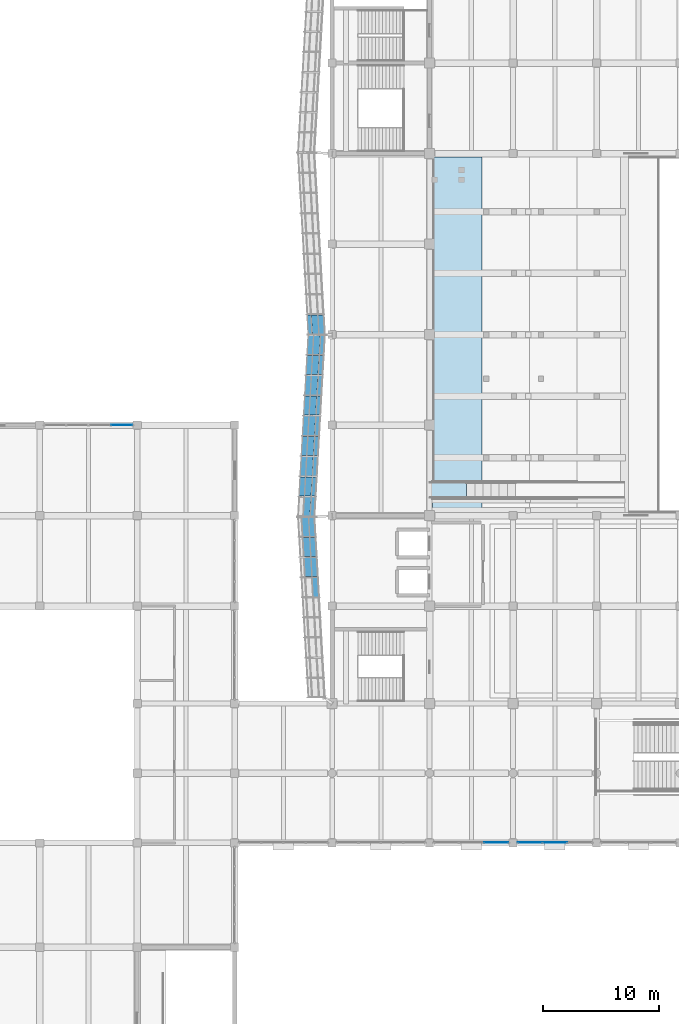
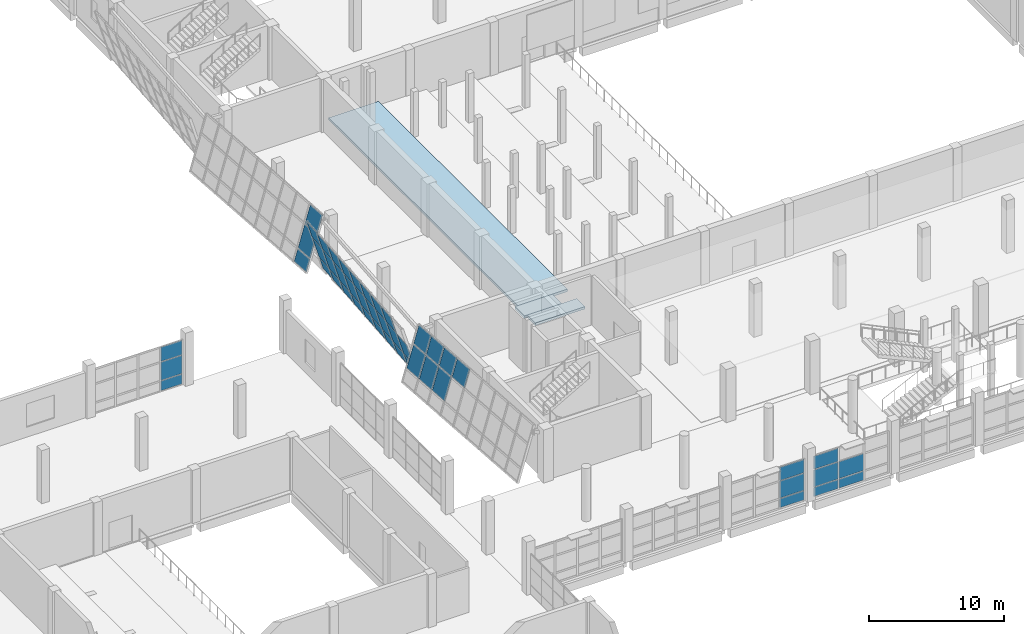
# One storey, part 67 of 91: 47 plates, 3 slabs, 6 elements without a shape of their own.
"""IFC4 building model written with IfcOpenShell, lengths in metres."""

import ifcopenshell
import ifcopenshell.guid

model = None  # the IFC model being written
_history = None  # IfcOwnerHistory: only IFC2X3 demands one
_inside = {}  # id of a spatial element -> (the spatial element, [elements in it])
_under = {}  # id of a project, library or spatial element -> (it, [spatial elements below it])
_declared = {}  # id of a project -> (the project, [libraries it declares])
_typed = {}  # id of a type object -> (the type object, [elements of that type])
_made_of = {}  # id of a material, layer set ... -> (it, [elements and type objects made of it])


def new_model(schema):
    """Start an empty IFC model of exactly this schema.

    Asked for "IFC4X3", IfcOpenShell would pick the latest addendum, in which some entities
    have other attributes; the version numbers below select the first issue.
    IFC2X3 requires an IfcOwnerHistory on every rooted entity: one is made here for all.
    """
    global model, _history
    if schema == "IFC4X3":
        model = ifcopenshell.file(schema_version=(4, 3, 0, 0))
    else:
        model = ifcopenshell.file(schema=schema)
    _inside.clear()
    _under.clear()
    _declared.clear()
    _typed.clear()
    _made_of.clear()
    _history = None
    if model.schema == "IFC2X3":
        org = make("IfcOrganization", Name="unknown")
        user = make(
            "IfcPersonAndOrganization",
            ThePerson=make("IfcPerson", FamilyName="unknown"),
            TheOrganization=org,
        )
        app = make(
            "IfcApplication",
            ApplicationDeveloper=org,
            Version="unknown",
            ApplicationFullName="unknown",
            ApplicationIdentifier="unknown",
        )
        _history = make(
            "IfcOwnerHistory",
            OwningUser=user,
            OwningApplication=app,
            ChangeAction="ADDED",
            CreationDate=0,
        )
    return model


def make(cls, **values):
    """One entity of the class cls with the attributes given. An attribute that is None is left unset."""
    return model.create_entity(
        cls, **{name: value for name, value in values.items() if value is not None}
    )


def rooted(cls, **values):
    """An entity with a GlobalId (a new one), such as an element, a storey or a relation."""
    return make(cls, GlobalId=ifcopenshell.guid.new(), OwnerHistory=_history, **values)


def si_unit(unit_type, name, prefix=None):
    """IfcSIUnit, for example si_unit("LENGTHUNIT", "METRE", prefix="MILLI")."""
    return make("IfcSIUnit", UnitType=unit_type, Prefix=prefix, Name=name)


def assignment(units):
    """IfcUnitAssignment: the units of a project."""
    return None if units is None else make("IfcUnitAssignment", Units=units)


def point(xyz):
    """IfcCartesianPoint."""
    return None if xyz is None else make("IfcCartesianPoint", Coordinates=xyz)


def direction(xyz):
    """IfcDirection."""
    return None if xyz is None else make("IfcDirection", DirectionRatios=xyz)


def frame(location, z_axis=None, x_axis=None):
    """IfcAxis2Placement3D, a coordinate frame: its origin and axes. An axis left out is left unset."""
    return make(
        "IfcAxis2Placement3D",
        Location=point(location),
        Axis=direction(z_axis),
        RefDirection=direction(x_axis),
    )


def origin():
    """The frame at (0, 0, 0) with its axes left unset."""
    return frame((0.0, 0.0, 0.0))


def place(relative_to, where):
    """IfcLocalPlacement: puts the frame where relative to a parent placement (None: the world)."""
    return make(
        "IfcLocalPlacement", PlacementRelTo=relative_to, RelativePlacement=where
    )


def context(
    kind, dimensions, precision=None, world=None, true_north=None, identifier=None
):
    """IfcGeometricRepresentationContext, for example the 3D "Model" context."""
    return make(
        "IfcGeometricRepresentationContext",
        ContextIdentifier=identifier,
        ContextType=kind,
        CoordinateSpaceDimension=dimensions,
        Precision=precision,
        WorldCoordinateSystem=world,
        TrueNorth=true_north,
    )


def subcontext(parent, identifier, kind, view, scale=None):
    """IfcGeometricRepresentationSubContext, for example "Body" below "Model"."""
    return make(
        "IfcGeometricRepresentationSubContext",
        ContextIdentifier=identifier,
        ContextType=kind,
        ParentContext=parent,
        TargetScale=scale,
        TargetView=view,
    )


def project(units=None, contexts=None):
    """IfcProject with its units and contexts."""
    return rooted(
        "IfcProject",
        Name="project",
        RepresentationContexts=contexts,
        UnitsInContext=assignment(units),
    )


def spatial(cls, under=None, at=None, **own):
    """A site, building, storey or space (cls), placed at a placement, below another one or the project."""
    s = rooted(cls, ObjectPlacement=at, **own)
    if under is not None:
        _under.setdefault(under.id(), (under, []))[1].append(s)
    return s


def polyline(points):
    """IfcPolyline through the points."""
    return make("IfcPolyline", Points=[point(p) for p in points])


def outline(outer, holes=None, kind="AREA"):
    """IfcArbitraryClosedProfileDef: a profile drawn as a closed curve; with holes, ...WithVoids."""
    if holes is None:
        return make("IfcArbitraryClosedProfileDef", ProfileType=kind, OuterCurve=outer)
    return make(
        "IfcArbitraryProfileDefWithVoids",
        ProfileType=kind,
        OuterCurve=outer,
        InnerCurves=holes,
    )


def extrude(swept, where, along, depth):
    """IfcExtrudedAreaSolid: the profile swept, set in the frame where, extruded along a direction by depth."""
    return make(
        "IfcExtrudedAreaSolid",
        SweptArea=swept,
        Position=where,
        ExtrudedDirection=direction(along),
        Depth=depth,
    )


def shape(context_of_items, identifier, shape_type, items):
    """IfcShapeRepresentation: the items that make up one representation, for example the "Body"."""
    return make(
        "IfcShapeRepresentation",
        ContextOfItems=context_of_items,
        RepresentationIdentifier=identifier,
        RepresentationType=shape_type,
        Items=items,
    )


def material(Name=None, Category=None):
    """IfcMaterial."""
    return make("IfcMaterial", Name=Name, Category=Category)


def layer(
    of_material, thickness, ventilated=None, Name=None, Category=None, Priority=None
):
    """IfcMaterialLayer: one layer of a wall or slab, of a material (None: an air gap)."""
    return make(
        "IfcMaterialLayer",
        Material=of_material,
        LayerThickness=thickness,
        IsVentilated=ventilated,
        Name=Name,
        Category=Category,
        Priority=Priority,
    )


def layer_set(layers, Name=None):
    """IfcMaterialLayerSet."""
    return make("IfcMaterialLayerSet", MaterialLayers=layers, LayerSetName=Name)


def made_of(thing, what):
    """Note that an element or type object is made of a material, layer set ...; save() writes the relation."""
    if what is not None:
        _made_of.setdefault(what.id(), (what, []))[1].append(thing)
    return thing


def type_object(cls, material=None, **own):
    """A type object (cls), such as IfcWallType, which elements share."""
    return made_of(rooted(cls, **own), material)


def element(
    cls,
    number,
    at=None,
    inside=None,
    cuts=None,
    type_object=None,
    material=None,
    context=None,
    identifier="Body",
    shape_type=None,
    held_by="IfcProductDefinitionShape",
    body=None,
    shapes=None,
    **own,
):
    """One element of the class cls, such as IfcWall. Its Tag is "e" and its number.

    at: its placement. inside: the storey or other place that contains it. cuts: it is an
    opening in that element (IfcRelVoidsElement). A single representation is given by context,
    identifier, shape_type and body (its items); several are given by shapes. held_by: the class
    of the entity that holds the representations. save() writes the other relations.
    """
    e = rooted(cls, Tag="e%d" % number, ObjectPlacement=at, **own)
    if body is not None:
        shapes = [shape(context, identifier, shape_type, body)]
    if shapes is not None:
        e.Representation = make(held_by, Representations=shapes)
    if inside is not None:
        _inside.setdefault(inside.id(), (inside, []))[1].append(e)
    if cuts is not None:
        rooted(
            "IfcRelVoidsElement", RelatingBuildingElement=cuts, RelatedOpeningElement=e
        )
    if type_object is not None:
        _typed.setdefault(type_object.id(), (type_object, []))[1].append(e)
    return made_of(e, material)


def aggregate(whole, parts):
    """IfcRelAggregates: a whole, such as a stair, and the parts it consists of."""
    return rooted("IfcRelAggregates", RelatingObject=whole, RelatedObjects=parts)


def save(model, path):
    """Write the relations noted so far, then the file.

    IfcRelAggregates (storeys below a building ...), IfcRelContainedInSpatialStructure (elements
    in a storey), IfcRelDefinesByType, IfcRelAssociatesMaterial and IfcRelDeclares: one each for
    every whole, place, type object, material and project.
    """
    for whole, parts in _under.values():
        aggregate(whole, parts)
    for where, things in _inside.values():
        rooted(
            "IfcRelContainedInSpatialStructure",
            RelatedElements=things,
            RelatingStructure=where,
        )
    for kind, things in _typed.values():
        rooted("IfcRelDefinesByType", RelatedObjects=things, RelatingType=kind)
    for what, things in _made_of.values():
        rooted("IfcRelAssociatesMaterial", RelatedObjects=things, RelatingMaterial=what)
    for by, libraries in _declared.values():
        rooted("IfcRelDeclares", RelatingContext=by, RelatedDefinitions=libraries)
    model.write(path)


model = new_model("IFC4")

# Units and contexts
model_context = context("Model", 3, precision=1e-05, world=origin(), true_north=direction((0.0, 1.0)))
body_context = subcontext(model_context, "Body", "Model", "MODEL_VIEW")
ifc_project = project(units=[si_unit("LENGTHUNIT", "METRE"), si_unit("AREAUNIT", "SQUARE_METRE"), si_unit("VOLUMEUNIT", "CUBIC_METRE"), si_unit("PLANEANGLEUNIT", "RADIAN"), si_unit("MASSUNIT", "GRAM", prefix="KILO")], contexts=[model_context])

# Site, building, storey
site_placement = place(None, origin())
site = spatial("IfcSite", under=ifc_project, at=site_placement, CompositionType="ELEMENT")
building_placement = place(site_placement, origin())
building = spatial("IfcBuilding", under=site, at=building_placement, Name="Pellamere Symphony Hall", CompositionType="ELEMENT")
storey_placement = place(building_placement, frame((0.0, 0.0, 5.39990234375)))
storey = spatial("IfcBuildingStorey", under=building, at=storey_placement, Name="L01", CompositionType="ELEMENT", Elevation=5.39990234375)

# Curtain wall, plates
ifc_material_1 = material(Name="Thermally Broken Anodised Aluminium 6063-T6 Curtain Wall", Category="aluminium")
curtain_wall_type_1 = type_object("IfcCurtainWallType", Name="Curtain Wall CW-01 (Tilted Faceted Crystal Low-Iron Curtain Wall)", PredefinedType="NOTDEFINED", material=ifc_material_1)
curtain_wall_1_placement = place(storey_placement, origin())
curtain_wall_1 = element("IfcCurtainWall", 1, at=curtain_wall_1_placement, inside=storey, type_object=curtain_wall_type_1, Name="Crystal Faceted Curtain Wall CW-CR17 (L01)", PredefinedType="NOTDEFINED")
ifc_material_2 = material(Name="Pre-Weathered Quartz-Zinc Faceted Cladding Cassette", Category="aluminium")
ifc_layer_1 = layer(ifc_material_2, 0.0400390625, Name="Pre-Weathered Quartz-Zinc Faceted Cladding Cassette")
ifc_layer_set_1 = layer_set([ifc_layer_1], Name="Pre-Weathered Quartz-Zinc Faceted Cladding Cassette")
plate_type_1 = type_object("IfcPlateType", Name="Facade Panel CL-01 40mm", PredefinedType="CURTAIN_PANEL", material=ifc_layer_set_1)
plate_1_placement = place(storey_placement, frame((49.724365234375, 61.72509765625, 0.072021484375), z_axis=(0.957370543914, -0.054850099973, 0.283607313336), x_axis=(-0.057198647566, -0.998362817175, 0.0)))
plate_1 = element("IfcPlate", 2, at=plate_1_placement, type_object=plate_type_1, Name="CW1-048 crystal glass panel 1.1", PredefinedType="CURTAIN_PANEL", context=body_context, shape_type="SweptSolid", body=[
    extrude(outline(polyline([(0.0, 0.0), (1.6347564733470132, 3.469446951953614e-18), (1.652449512034991, -1.0888991004708903), (0.01769303868797779, -1.0888991004708903), (0.0, 0.0)])), origin(), (0.0, 0.0, -1.0), 0.0400390625),
])
plate_2_placement = place(storey_placement, frame((49.393798828125, 61.72509765625, 1.18798828125), z_axis=(0.957368086249, -0.054849959167, 0.283615636753), x_axis=(-0.057198647566, -0.998362817175, 0.0)))
plate_2 = element("IfcPlate", 3, at=plate_2_placement, type_object=plate_type_1, Name="CW1-048 crystal glass panel 1.2", PredefinedType="CURTAIN_PANEL", context=body_context, shape_type="SweptSolid", body=[
    extrude(outline(polyline([(0.0, 0.0), (1.6347564733470132, 0.0), (1.6676987608489386, -2.027338273597459), (0.032942287501925495, -2.027338273597459), (0.0, 0.0)])), origin(), (0.0, 0.0, -1.0), 0.0400390625),
])
plate_3_placement = place(storey_placement, frame((48.796630859375, 61.72509765625, 3.2041015625), z_axis=(0.957387170277, -0.054851052538, 0.283550997572), x_axis=(-0.057198647566, -0.998362817175, 0.0)))
plate_3 = element("IfcPlate", 4, at=plate_3_placement, type_object=plate_type_1, Name="CW1-048 crystal glass panel 1.3", PredefinedType="CURTAIN_PANEL", context=body_context, shape_type="SweptSolid", body=[
    extrude(outline(polyline([(0.0, 0.0), (1.6347564733470132, 0.0), (1.6605768589303367, -1.5894035603330965), (0.025820385583323543, -1.5894035603330965), (0.0, 0.0)])), origin(), (0.0, 0.0, -1.0), 0.0400390625),
])
plate_4_placement = place(storey_placement, frame((49.62646484375, 60.01806640625, 0.072021484375), z_axis=(0.95742957948, -0.05488628183, 0.283400946369), x_axis=(-0.057232737422, -0.998360863499, 0.0)))
plate_4 = element("IfcPlate", 5, at=plate_4_placement, type_object=plate_type_1, Name="CW1-048 crystal glass panel 2.1", PredefinedType="CURTAIN_PANEL", context=body_context, shape_type="SweptSolid", body=[
    extrude(outline(polyline([(0.0, 0.0), (1.6721745160346768, 0.0), (1.6898641267710717, -1.0888298277192388), (0.017689610736394717, -1.0888298277192388), (0.0, 0.0)])), origin(), (0.0, 0.0, -1.0), 0.0400390625),
])
plate_5_placement = place(storey_placement, frame((49.2958984375, 60.01806640625, 1.18798828125), z_axis=(0.957399002665, -0.054884528962, 0.283504564647), x_axis=(-0.057232737422, -0.998360863499, 0.0)))
plate_5 = element("IfcPlate", 6, at=plate_5_placement, type_object=plate_type_1, Name="CW1-048 crystal glass panel 2.2", PredefinedType="CURTAIN_PANEL", context=body_context, shape_type="SweptSolid", body=[
    extrude(outline(polyline([(0.0, 0.0), (1.6721745160346768, 0.0), (1.7051224639939333, -2.0272688394771072), (0.03294794795925651, -2.0272688394771072), (0.0, 0.0)])), origin(), (0.0, 0.0, -1.0), 0.0400390625),
])
plate_6_placement = place(storey_placement, frame((48.69873046875, 60.01806640625, 3.2041015625), z_axis=(0.957385447417, -0.054883751885, 0.28355048731), x_axis=(-0.057232737422, -0.998360863499, 0.0)))
plate_6 = element("IfcPlate", 7, at=plate_6_placement, type_object=plate_type_1, Name="CW1-048 crystal glass panel 2.3", PredefinedType="CURTAIN_PANEL", context=body_context, shape_type="SweptSolid", body=[
    extrude(outline(polyline([(0.0, 0.0), (1.6721745160346768, 0.0), (1.6980102903250354, -1.589403310263953), (0.025835774290358476, -1.589403310263953), (0.0, 0.0)])), origin(), (0.0, 0.0, -1.0), 0.0400390625),
])
plate_7_placement = place(storey_placement, frame((49.526611328125, 58.273681640625, 0.072021484375), z_axis=(0.95736924277, -0.054874797948, 0.283606927891), x_axis=(-0.057224396245, -0.998361341637, 0.0)))
plate_7 = element("IfcPlate", 8, at=plate_7_placement, type_object=plate_type_1, Name="CW1-048 crystal glass panel 3.1", PredefinedType="CURTAIN_PANEL", context=body_context, shape_type="SweptSolid", body=[
    extrude(outline(polyline([(0.0, 0.0), (1.6724182565382377, 3.469446951953614e-18), (1.6901192599666512, -1.0888989710262178), (0.01770100342841346, -1.0888989710262178), (0.0, 0.0)])), origin(), (0.0, 0.0, -1.0), 0.0400390625),
])
plate_8_placement = place(storey_placement, frame((49.196044921875, 58.273681640625, 1.18798828125), z_axis=(0.957366785115, -0.054874657079, 0.283615251298), x_axis=(-0.057224396245, -0.998361341637, 0.0)))
plate_8 = element("IfcPlate", 9, at=plate_8_placement, type_object=plate_type_1, Name="CW1-048 crystal glass panel 3.2", PredefinedType="CURTAIN_PANEL", context=body_context, shape_type="SweptSolid", body=[
    extrude(outline(polyline([(0.0, 0.0), (1.6724182565382377, -3.469446951953614e-18), (1.7053753734187647, -2.0273380325801393), (0.03295711688052672, -2.0273380325801393), (0.0, 0.0)])), origin(), (0.0, 0.0, -1.0), 0.0400390625),
])
plate_9_placement = place(storey_placement, frame((48.598876953125, 58.273681640625, 3.2041015625), z_axis=(0.957385869065, -0.054875750939, 0.28355061219), x_axis=(-0.057224396245, -0.998361341637, 0.0)))
plate_9 = element("IfcPlate", 10, at=plate_9_placement, type_object=plate_type_1, Name="CW1-048 crystal glass panel 3.3", PredefinedType="CURTAIN_PANEL", context=body_context, shape_type="SweptSolid", body=[
    extrude(outline(polyline([(0.0, 0.0), (1.6724182565382377, -3.469446951953614e-18), (1.6982502654878326, -1.5894033714651616), (0.025832008949594705, -1.5894033714651616), (0.0, 0.0)])), origin(), (0.0, 0.0, -1.0), 0.0400390625),
])
plate_10_placement = place(storey_placement, frame((49.426513671875, 56.529296875, 0.072021484375), z_axis=(0.95736924277, -0.054874797948, 0.283606927891), x_axis=(-0.057224396245, -0.998361341637, 0.0)))
plate_10 = element("IfcPlate", 11, at=plate_10_placement, type_object=plate_type_1, Name="CW1-048 crystal glass panel 4.1", PredefinedType="CURTAIN_PANEL", context=body_context, shape_type="SweptSolid", body=[
    extrude(outline(polyline([(0.0, 0.0), (1.6724182565382377, 3.469446951953614e-18), (1.6901192599666512, -1.0888989710262178), (0.01770100342841346, -1.0888989710262178), (0.0, 0.0)])), origin(), (0.0, 0.0, -1.0), 0.0400390625),
])
plate_11_placement = place(storey_placement, frame((49.095947265625, 56.529296875, 1.18798828125), z_axis=(0.957366785115, -0.054874657079, 0.283615251298), x_axis=(-0.057224396245, -0.998361341637, 0.0)))
plate_11 = element("IfcPlate", 12, at=plate_11_placement, type_object=plate_type_1, Name="CW1-048 crystal glass panel 4.2", PredefinedType="CURTAIN_PANEL", context=body_context, shape_type="SweptSolid", body=[
    extrude(outline(polyline([(0.0, 0.0), (1.6724182565382377, -3.469446951953614e-18), (1.7053753734187647, -2.0273380325801393), (0.03295711688052672, -2.0273380325801393), (0.0, 0.0)])), origin(), (0.0, 0.0, -1.0), 0.0400390625),
])
plate_12_placement = place(storey_placement, frame((48.498779296875, 56.529296875, 3.2041015625), z_axis=(0.957385869065, -0.054875750939, 0.28355061219), x_axis=(-0.057224396245, -0.998361341637, 0.0)))
plate_12 = element("IfcPlate", 13, at=plate_12_placement, type_object=plate_type_1, Name="CW1-048 crystal glass panel 4.3", PredefinedType="CURTAIN_PANEL", context=body_context, shape_type="SweptSolid", body=[
    extrude(outline(polyline([(0.0, 0.0), (1.6724182565382377, -3.469446951953614e-18), (1.6982502654878326, -1.5894033714651616), (0.025832008949594705, -1.5894033714651616), (0.0, 0.0)])), origin(), (0.0, 0.0, -1.0), 0.0400390625),
])
plate_13_placement = place(storey_placement, frame((49.32666015625, 54.78466796875, 0.072021484375), z_axis=(0.957368821144, -0.054882798755, 0.28360680299), x_axis=(-0.057232737422, -0.998360863499, 0.0)))
plate_13 = element("IfcPlate", 14, at=plate_13_placement, type_object=plate_type_1, Name="CW1-048 crystal glass panel 5.1", PredefinedType="CURTAIN_PANEL", context=body_context, shape_type="SweptSolid", body=[
    extrude(outline(polyline([(0.0, 0.0), (1.6721745160346768, -3.469446951953614e-18), (1.6898780996073564, -1.0888989290806625), (0.01770358357267939, -1.0888989290806625), (0.0, 0.0)])), origin(), (0.0, 0.0, -1.0), 0.0400390625),
])
plate_14_placement = place(storey_placement, frame((48.995849609375, 54.78466796875, 1.18798828125), z_axis=(0.957399002665, -0.054884528962, 0.283504564647), x_axis=(-0.057232737422, -0.998360863499, 0.0)))
plate_14 = element("IfcPlate", 15, at=plate_14_placement, type_object=plate_type_1, Name="CW1-048 crystal glass panel 5.2", PredefinedType="CURTAIN_PANEL", context=body_context, shape_type="SweptSolid", body=[
    extrude(outline(polyline([(0.0, 0.0), (1.6721745160346768, 0.0), (1.7051224639939333, -2.0272688394771072), (0.03294794795925651, -2.0272688394771072), (0.0, 0.0)])), origin(), (0.0, 0.0, -1.0), 0.0400390625),
])
plate_15_placement = place(storey_placement, frame((48.39892578125, 54.78466796875, 3.2041015625), z_axis=(0.957343808464, -0.054881364861, 0.283691501787), x_axis=(-0.057232737422, -0.998360863499, 0.0)))
plate_15 = element("IfcPlate", 16, at=plate_15_placement, type_object=plate_type_1, Name="CW1-048 crystal glass panel 5.3", PredefinedType="CURTAIN_PANEL", context=body_context, shape_type="SweptSolid", body=[
    extrude(outline(polyline([(0.0, 0.0), (1.6721745160346768, 0.0), (1.69802426316132, -1.5894724401718032), (0.02584974712664315, -1.5894724401718032), (0.0, 0.0)])), origin(), (0.0, 0.0, -1.0), 0.0400390625),
])
plate_16_placement = place(storey_placement, frame((49.2265625, 53.040283203125, 0.072021484375), z_axis=(0.957368821144, -0.054882798755, 0.28360680299), x_axis=(-0.057232737422, -0.998360863499, 0.0)))
plate_16 = element("IfcPlate", 17, at=plate_16_placement, type_object=plate_type_1, Name="CW1-048 crystal glass panel 6.1", PredefinedType="CURTAIN_PANEL", context=body_context, shape_type="SweptSolid", body=[
    extrude(outline(polyline([(0.0, 0.0), (1.6721745160346768, -3.469446951953614e-18), (1.6898780996073564, -1.0888989290806625), (0.01770358357267939, -1.0888989290806625), (0.0, 0.0)])), origin(), (0.0, 0.0, -1.0), 0.0400390625),
])
plate_17_placement = place(storey_placement, frame((48.89599609375, 53.040283203125, 1.18798828125), z_axis=(0.957366363492, -0.054882657866, 0.283615126394), x_axis=(-0.057232737422, -0.998360863499, 0.0)))
plate_17 = element("IfcPlate", 18, at=plate_17_placement, type_object=plate_type_1, Name="CW1-048 crystal glass panel 6.2", PredefinedType="CURTAIN_PANEL", context=body_context, shape_type="SweptSolid", body=[
    extrude(outline(polyline([(0.0, 0.0), (1.6721745160346768, 0.0), (1.705136436830218, -2.027337954480322), (0.03296192079554119, -2.027337954480322), (0.0, 0.0)])), origin(), (0.0, 0.0, -1.0), 0.0400390625),
])
plate_18_placement = place(storey_placement, frame((48.298828125, 53.040283203125, 3.2041015625), z_axis=(0.957385447417, -0.054883751885, 0.28355048731), x_axis=(-0.057232737422, -0.998360863499, 0.0)))
plate_18 = element("IfcPlate", 19, at=plate_18_placement, type_object=plate_type_1, Name="CW1-048 crystal glass panel 6.3", PredefinedType="CURTAIN_PANEL", context=body_context, shape_type="SweptSolid", body=[
    extrude(outline(polyline([(0.0, 0.0), (1.6721745160346768, 0.0), (1.6980102903250354, -1.589403310263953), (0.025835774290358476, -1.589403310263953), (0.0, 0.0)])), origin(), (0.0, 0.0, -1.0), 0.0400390625),
])
plate_19_placement = place(storey_placement, frame((49.12646484375, 51.2958984375, 0.072021484375), z_axis=(0.957430001187, -0.054878280518, 0.283401071195), x_axis=(-0.057224396245, -0.998361341637, 0.0)))
plate_19 = element("IfcPlate", 20, at=plate_19_placement, type_object=plate_type_1, Name="CW1-048 crystal glass panel 7.1", PredefinedType="CURTAIN_PANEL", context=body_context, shape_type="SweptSolid", body=[
    extrude(outline(polyline([(0.0, 0.0), (1.6724182565382377, 0.0), (1.6901052891667867, -1.0888298696012657), (0.01768703262854889, -1.0888298696012657), (0.0, 0.0)])), origin(), (0.0, 0.0, -1.0), 0.0400390625),
])
plate_20_placement = place(storey_placement, frame((48.7958984375, 51.2958984375, 1.18798828125), z_axis=(0.957399424332, -0.054876527904, 0.283504689511), x_axis=(-0.057224396245, -0.998361341637, 0.0)))
plate_20 = element("IfcPlate", 21, at=plate_20_placement, type_object=plate_type_1, Name="CW1-048 crystal glass panel 7.2", PredefinedType="CURTAIN_PANEL", context=body_context, shape_type="SweptSolid", body=[
    extrude(outline(polyline([(0.0, 0.0), (1.6724182565382377, 3.469446951953614e-18), (1.7053614026189, -2.0272689175133847), (0.03294314608066215, -2.0272689175133847), (0.0, 0.0)])), origin(), (0.0, 0.0, -1.0), 0.0400390625),
])
plate_21_placement = place(storey_placement, frame((48.19873046875, 51.2958984375, 3.2041015625), z_axis=(0.957385869065, -0.054875750939, 0.28355061219), x_axis=(-0.057224396245, -0.998361341637, 0.0)))
plate_21 = element("IfcPlate", 22, at=plate_21_placement, type_object=plate_type_1, Name="CW1-048 crystal glass panel 7.3", PredefinedType="CURTAIN_PANEL", context=body_context, shape_type="SweptSolid", body=[
    extrude(outline(polyline([(0.0, 0.0), (1.6724182565382377, -3.469446951953614e-18), (1.6982502654878326, -1.5894033714651616), (0.025832008949594705, -1.5894033714651616), (0.0, 0.0)])), origin(), (0.0, 0.0, -1.0), 0.0400390625),
])
plate_22_placement = place(storey_placement, frame((49.026611328125, 49.551513671875, 0.072021484375), z_axis=(0.95736924277, -0.054874797948, 0.283606927891), x_axis=(-0.057224396245, -0.998361341637, 0.0)))
plate_22 = element("IfcPlate", 23, at=plate_22_placement, type_object=plate_type_1, Name="CW1-048 crystal glass panel 8.1", PredefinedType="CURTAIN_PANEL", context=body_context, shape_type="SweptSolid", body=[
    extrude(outline(polyline([(0.0, 0.0), (1.6724182565382377, 3.469446951953614e-18), (1.6901192599666512, -1.0888989710262178), (0.01770100342841346, -1.0888989710262178), (0.0, 0.0)])), origin(), (0.0, 0.0, -1.0), 0.0400390625),
])
plate_23_placement = place(storey_placement, frame((48.696044921875, 49.551513671875, 1.18798828125), z_axis=(0.957366785115, -0.054874657079, 0.283615251298), x_axis=(-0.057224396245, -0.998361341637, 0.0)))
plate_23 = element("IfcPlate", 24, at=plate_23_placement, type_object=plate_type_1, Name="CW1-048 crystal glass panel 8.2", PredefinedType="CURTAIN_PANEL", context=body_context, shape_type="SweptSolid", body=[
    extrude(outline(polyline([(0.0, 0.0), (1.6724182565382377, -3.469446951953614e-18), (1.7053753734187647, -2.0273380325801393), (0.03295711688052672, -2.0273380325801393), (0.0, 0.0)])), origin(), (0.0, 0.0, -1.0), 0.0400390625),
])
plate_24_placement = place(storey_placement, frame((48.098876953125, 49.551513671875, 3.2041015625), z_axis=(0.957385869065, -0.054875750939, 0.28355061219), x_axis=(-0.057224396245, -0.998361341637, 0.0)))
plate_24 = element("IfcPlate", 25, at=plate_24_placement, type_object=plate_type_1, Name="CW1-048 crystal glass panel 8.3", PredefinedType="CURTAIN_PANEL", context=body_context, shape_type="SweptSolid", body=[
    extrude(outline(polyline([(0.0, 0.0), (1.6724182565382377, -3.469446951953614e-18), (1.6982502654878326, -1.5894033714651616), (0.025832008949594705, -1.5894033714651616), (0.0, 0.0)])), origin(), (0.0, 0.0, -1.0), 0.0400390625),
])
plate_25_placement = place(storey_placement, frame((48.926513671875, 47.806884765625, 0.072021484375), z_axis=(0.957370543914, -0.054850099973, 0.283607313336), x_axis=(-0.057198647566, -0.998362817175, 0.0)))
plate_25 = element("IfcPlate", 26, at=plate_25_placement, type_object=plate_type_1, Name="CW1-048 crystal glass panel 9.1", PredefinedType="CURTAIN_PANEL", context=body_context, shape_type="SweptSolid", body=[
    extrude(outline(polyline([(0.0, 0.0), (1.6347564733470132, 3.469446951953614e-18), (1.652449512034991, -1.0888991004708903), (0.01769303868797779, -1.0888991004708903), (0.0, 0.0)])), origin(), (0.0, 0.0, -1.0), 0.0400390625),
])
plate_26_placement = place(storey_placement, frame((48.595947265625, 47.806884765625, 1.18798828125), z_axis=(0.957368086249, -0.054849959167, 0.283615636753), x_axis=(-0.057198647566, -0.998362817175, 0.0)))
plate_26 = element("IfcPlate", 27, at=plate_26_placement, type_object=plate_type_1, Name="CW1-048 crystal glass panel 9.2", PredefinedType="CURTAIN_PANEL", context=body_context, shape_type="SweptSolid", body=[
    extrude(outline(polyline([(0.0, 0.0), (1.6347564733470132, 0.0), (1.6676987608489386, -2.027338273597459), (0.032942287501925495, -2.027338273597459), (0.0, 0.0)])), origin(), (0.0, 0.0, -1.0), 0.0400390625),
])
aggregate(curtain_wall_1, [plate_1, plate_2, plate_3, plate_4, plate_5, plate_6, plate_7, plate_8, plate_9, plate_10, plate_11, plate_12, plate_13, plate_14, plate_15, plate_16, plate_17, plate_18, plate_19, plate_20, plate_21, plate_22, plate_23, plate_24, plate_25, plate_26])

curtain_wall_type_2 = type_object("IfcCurtainWallType", Name="Curtain Wall CW-02 (Winter-Garden South Concourse Curtain Wall)", PredefinedType="NOTDEFINED", material=ifc_material_1)
curtain_wall_2_placement = place(storey_placement, origin())
curtain_wall_2 = element("IfcCurtainWall", 28, at=curtain_wall_2_placement, inside=storey, type_object=curtain_wall_type_2, Name="Winter-Garden South Curtain Wall (L01 Bay 4)", PredefinedType="NOTDEFINED")
ifc_material_3 = material(Name="Triple Low-E Argon Acoustic Glazing 36mm", Category="glass")
ifc_layer_2 = layer(ifc_material_3, 0.035888671875, Name="Triple Low-E Argon Acoustic Glazing 36mm")
ifc_layer_set_2 = layer_set([ifc_layer_2], Name="Triple Low-E Argon Acoustic Glazing 36mm")
plate_type_2 = type_object("IfcPlateType", Name="Facade Panel GL-01 36mm", PredefinedType="CURTAIN_PANEL", material=ifc_layer_set_2)
plate_27_placement = place(storey_placement, frame((66.4150390625, 18.0, 0.065185546875), z_axis=(0.0, -1.0, 0.0), x_axis=(1.0, 0.0, 0.0)))
plate_27 = element("IfcPlate", 29, at=plate_27_placement, type_object=plate_type_2, Name="CW2-069 crystal glass panel 1.1", PredefinedType="CURTAIN_PANEL", context=body_context, shape_type="SweptSolid", body=[
    extrude(outline(polyline([(0.0, 0.0), (2.069091796875, 0.0), (2.069091796875, 0.8095703125), (0.0, 0.8095703125), (0.0, 0.0)])), origin(), (0.0, 0.0, -1.0), 0.035888671875),
])
plate_28_placement = place(storey_placement, frame((66.4150390625, 18.0, 0.939697265625), z_axis=(0.0, -1.0, 0.0), x_axis=(1.0, 0.0, 0.0)))
plate_28 = element("IfcPlate", 30, at=plate_28_placement, type_object=plate_type_2, Name="CW2-069 crystal glass panel 1.2", PredefinedType="CURTAIN_PANEL", context=body_context, shape_type="SweptSolid", body=[
    extrude(outline(polyline([(0.0, 0.0), (2.069091796875, 0.0), (2.069091796875, 1.522705078125), (0.0, 1.522705078125), (0.0, 0.0)])), origin(), (0.0, 0.0, -1.0), 0.035888671875),
])
plate_29_placement = place(storey_placement, frame((66.4150390625, 18.0, 2.52734375), z_axis=(0.0, -1.0, 0.0), x_axis=(1.0, 0.0, 0.0)))
plate_29 = element("IfcPlate", 31, at=plate_29_placement, type_object=plate_type_2, Name="CW2-069 crystal glass panel 1.3", PredefinedType="CURTAIN_PANEL", context=body_context, shape_type="SweptSolid", body=[
    extrude(outline(polyline([(0.0, 0.0), (2.069091796875, 0.0), (2.069091796875, 1.187744140625), (0.0, 1.187744140625), (0.0, 0.0)])), origin(), (0.0, 0.0, -1.0), 0.035888671875),
])
plate_30_placement = place(storey_placement, frame((68.549072265625, 18.0, 0.065185546875), z_axis=(0.0, -1.0, 0.0), x_axis=(1.0, 0.0, 0.0)))
plate_30 = element("IfcPlate", 32, at=plate_30_placement, type_object=plate_type_2, Name="CW2-069 crystal glass panel 2.1", PredefinedType="CURTAIN_PANEL", context=body_context, shape_type="SweptSolid", body=[
    extrude(outline(polyline([(0.0, 0.0), (2.101806640625, 0.0), (2.101806640625, 0.8095703125), (0.0, 0.8095703125), (0.0, 0.0)])), origin(), (0.0, 0.0, -1.0), 0.035888671875),
])
plate_31_placement = place(storey_placement, frame((68.549072265625, 18.0, 0.939697265625), z_axis=(0.0, -1.0, 0.0), x_axis=(1.0, 0.0, 0.0)))
plate_31 = element("IfcPlate", 33, at=plate_31_placement, type_object=plate_type_2, Name="CW2-069 crystal glass panel 2.2", PredefinedType="CURTAIN_PANEL", context=body_context, shape_type="SweptSolid", body=[
    extrude(outline(polyline([(0.0, 0.0), (2.101806640625, 0.0), (2.101806640625, 1.522705078125), (0.0, 1.522705078125), (0.0, 0.0)])), origin(), (0.0, 0.0, -1.0), 0.035888671875),
])
aggregate(curtain_wall_2, [plate_27, plate_28, plate_29, plate_30, plate_31])

curtain_wall_type_3 = type_object("IfcCurtainWallType", Name="Curtain Wall CW-04 (Chamber Music Lobby Curtain Wall)", PredefinedType="NOTDEFINED", material=ifc_material_1)
curtain_wall_3_placement = place(storey_placement, origin())
curtain_wall_3 = element("IfcCurtainWall", 34, at=curtain_wall_3_placement, inside=storey, type_object=curtain_wall_type_3, Name="Chamber Garden North Curtain Wall (L01 Bay 2)", PredefinedType="NOTDEFINED")
plate_32_placement = place(storey_placement, frame((31.357421875, 54.0, 0.065185546875), z_axis=(0.0, -1.0, 0.0), x_axis=(1.0, 0.0, 0.0)))
plate_32 = element("IfcPlate", 35, at=plate_32_placement, type_object=plate_type_2, Name="CW4N-120 crystal glass panel 4.1", PredefinedType="CURTAIN_PANEL", context=body_context, shape_type="SweptSolid", body=[
    extrude(outline(polyline([(0.0, 0.0), (1.82763671875, 0.0), (1.82763671875, 0.877685546875), (0.0, 0.877685546875), (0.0, 0.0)])), origin(), (0.0, 0.0, -1.0), 0.035888671875),
])
plate_33_placement = place(storey_placement, frame((31.357421875, 54.0, 1.008056640625), z_axis=(0.0, -1.0, 0.0), x_axis=(1.0, 0.0, 0.0)))
plate_33 = element("IfcPlate", 36, at=plate_33_placement, type_object=plate_type_2, Name="CW4N-120 crystal glass panel 4.2", PredefinedType="CURTAIN_PANEL", context=body_context, shape_type="SweptSolid", body=[
    extrude(outline(polyline([(0.0, 0.0), (1.82763671875, 0.0), (1.82763671875, 1.641845703125), (0.0, 1.641845703125), (0.0, 0.0)])), origin(), (0.0, 0.0, -1.0), 0.035888671875),
])
plate_34_placement = place(storey_placement, frame((31.357421875, 54.0, 2.71484375), z_axis=(0.0, -1.0, 0.0), x_axis=(1.0, 0.0, 0.0)))
plate_34 = element("IfcPlate", 37, at=plate_34_placement, type_object=plate_type_2, Name="CW4N-120 crystal glass panel 4.3", PredefinedType="CURTAIN_PANEL", context=body_context, shape_type="SweptSolid", body=[
    extrude(outline(polyline([(0.0, 0.0), (1.82763671875, 0.0), (1.82763671875, 1.2841796875), (0.0, 1.2841796875), (0.0, 0.0)])), origin(), (0.0, 0.0, -1.0), 0.035888671875),
])
aggregate(curtain_wall_3, [plate_32, plate_33, plate_34])

curtain_wall_4_placement = place(storey_placement, origin())
curtain_wall_4 = element("IfcCurtainWall", 38, at=curtain_wall_4_placement, inside=storey, type_object=curtain_wall_type_1, Name="Crystal Faceted Curtain Wall CW-CR16 (L01)", PredefinedType="NOTDEFINED")
ifc_material_4 = material(Name="Triple Laminated Acoustic Crystal Glazing 42mm", Category="glass")
ifc_layer_3 = layer(ifc_material_4, 0.0419921875, Name="Triple Laminated Acoustic Crystal Glazing 42mm")
ifc_layer_set_3 = layer_set([ifc_layer_3], Name="Triple Laminated Acoustic Crystal Glazing 42mm")
plate_type_3 = type_object("IfcPlateType", Name="Facade Panel GL-02 42mm", PredefinedType="CURTAIN_PANEL", material=ifc_layer_set_3)
plate_35_placement = place(storey_placement, frame((48.251708984375, 63.507080078125, 0.072021484375), z_axis=(-0.957370974675, -0.054841920924, 0.283607440943), x_axis=(0.057190120561, -0.998363305671, 0.0)))
plate_35 = element("IfcPlate", 39, at=plate_35_placement, type_object=plate_type_3, Name="CW1-043 crystal glass panel 9.1", PredefinedType="CURTAIN_PANEL", context=body_context, shape_type="SweptSolid", body=[
    extrude(outline(polyline([(0.0, 0.0), (1.6350002143288105, 0.0), (1.652690615391066, 1.088899143325306), (0.017690401062255792, 1.088899143325306), (0.0, 0.0)])), origin(), (0.0, 0.0, -1.0), 0.0419921875),
])
plate_36_placement = place(storey_placement, frame((48.582275390625, 63.507080078125, 1.18798828125), z_axis=(-0.957368517007, -0.05484178014, 0.283615764363), x_axis=(0.057190120561, -0.998363305671, 0.0)))
plate_36 = element("IfcPlate", 40, at=plate_36_placement, type_object=plate_type_3, Name="CW1-043 crystal glass panel 9.2", PredefinedType="CURTAIN_PANEL", context=body_context, shape_type="SweptSolid", body=[
    extrude(outline(polyline([(0.0, 0.0), (1.6350002143288105, 0.0), (1.667937590892237, 2.0273383533895144), (0.03293737656342653, 2.0273383533895144), (0.0, 0.0)])), origin(), (0.0, 0.0, -1.0), 0.0419921875),
])
plate_37_placement = place(storey_placement, frame((49.179443359375, 63.507080078125, 3.2041015625), z_axis=(-0.957387601061, -0.054842873348, 0.283551125158), x_axis=(0.057190120561, -0.998363305671, 0.0)))
plate_37 = element("IfcPlate", 41, at=plate_37_placement, type_object=plate_type_3, Name="CW1-043 crystal glass panel 9.3", PredefinedType="CURTAIN_PANEL", context=body_context, shape_type="SweptSolid", body=[
    extrude(outline(polyline([(0.0, 0.0), (1.6350002143288105, 0.0), (1.6608167506856462, 1.5894036228603892), (0.0258165363568358, 1.5894036228603892), (0.0, 0.0)])), origin(), (0.0, 0.0, -1.0), 0.0419921875),
])
aggregate(curtain_wall_4, [plate_35, plate_36, plate_37])

curtain_wall_5_placement = place(storey_placement, origin())
curtain_wall_5 = element("IfcCurtainWall", 42, at=curtain_wall_5_placement, inside=storey, type_object=curtain_wall_type_1, Name="Crystal Faceted Curtain Wall CW-CR18 (L01)", PredefinedType="NOTDEFINED")
plate_38_placement = place(storey_placement, frame((47.784423828125, 46.025146484375, 1.18798828125), z_axis=(-0.957348500878, -0.05522055359, 0.283609834682), x_axis=(0.057585007883, -0.99834060664, 0.0)))
plate_38 = element("IfcPlate", 43, at=plate_38_placement, type_object=plate_type_3, Name="CW1-053 crystal glass panel 1.2", PredefinedType="CURTAIN_PANEL", context=body_context, shape_type="SweptSolid", body=[
    extrude(outline(polyline([(0.0, 0.0), (1.6237882534451713, 0.0), (1.6569530565692072, 2.0273346457190367), (0.03316480312403584, 2.0273346457190367), (0.0, 0.0)])), origin(), (0.0, 0.0, -1.0), 0.0419921875),
])
plate_39_placement = place(storey_placement, frame((48.381591796875, 46.025146484375, 3.2041015625), z_axis=(-0.957367583734, -0.055221654303, 0.283545196592), x_axis=(0.057585007883, -0.99834060664, 0.0)))
plate_39 = element("IfcPlate", 44, at=plate_39_placement, type_object=plate_type_3, Name="CW1-053 crystal glass panel 1.3", PredefinedType="CURTAIN_PANEL", context=body_context, shape_type="SweptSolid", body=[
    extrude(outline(polyline([(0.0, 0.0), (1.6237882534451713, -3.469446951953614e-18), (1.6497830482634597, 1.589400717425769), (0.02599479481828837, 1.589400717425769), (0.0, 0.0)])), origin(), (0.0, 0.0, -1.0), 0.0419921875),
])
plate_40_placement = place(storey_placement, frame((47.88232421875, 44.329345703125, 1.18798828125), z_axis=(-0.957380265181, -0.055238896666, 0.283499016112), x_axis=(0.057602168051, -0.998339616682, 0.0)))
plate_40 = element("IfcPlate", 45, at=plate_40_placement, type_object=plate_type_3, Name="CW1-053 crystal glass panel 2.2", PredefinedType="CURTAIN_PANEL", context=body_context, shape_type="SweptSolid", body=[
    extrude(outline(polyline([(0.0, 0.0), (1.6614500501978287, 3.469446951953614e-18), (1.694610673309276, 2.0272653718407074), (0.03316062311144734, 2.0272653718407074), (0.0, 0.0)])), origin(), (0.0, 0.0, -1.0), 0.0419921875),
])
plate_41_placement = place(storey_placement, frame((48.4794921875, 44.329345703125, 3.2041015625), z_axis=(-0.957366710729, -0.055238114602, 0.283544938033), x_axis=(0.057602168051, -0.998339616682, 0.0)))
plate_41 = element("IfcPlate", 46, at=plate_41_placement, type_object=plate_type_3, Name="CW1-053 crystal glass panel 2.3", PredefinedType="CURTAIN_PANEL", context=body_context, shape_type="SweptSolid", body=[
    extrude(outline(polyline([(0.0, 0.0), (1.6614500501978287, 0.0), (1.687452591390817, 1.5894005907142166), (0.02600254119298818, 1.5894005907142166), (0.0, 0.0)])), origin(), (0.0, 0.0, -1.0), 0.0419921875),
])
plate_42_placement = place(storey_placement, frame((47.982177734375, 42.595947265625, 1.18798828125), z_axis=(-0.957347197893, -0.055245120208, 0.283609448679), x_axis=(0.057610619545, -0.998339129012, 0.0)))
plate_42 = element("IfcPlate", 47, at=plate_42_placement, type_object=plate_type_3, Name="CW1-053 crystal glass panel 3.2", PredefinedType="CURTAIN_PANEL", context=body_context, shape_type="SweptSolid", body=[
    extrude(outline(polyline([(0.0, 0.0), (1.6612063149993754, 6.938893903907228e-18), (1.6943858685901516, 2.0273344043651265), (0.03317955359077607, 2.0273344043651265), (0.0, 0.0)])), origin(), (0.0, 0.0, -1.0), 0.0419921875),
])
plate_43_placement = place(storey_placement, frame((48.579345703125, 42.595947265625, 3.2041015625), z_axis=(-0.957366280672, -0.055246221408, 0.283544810662), x_axis=(0.057610619545, -0.998339129012, 0.0)))
plate_43 = element("IfcPlate", 48, at=plate_43_placement, type_object=plate_type_3, Name="CW1-053 crystal glass panel 3.3", PredefinedType="CURTAIN_PANEL", context=body_context, shape_type="SweptSolid", body=[
    extrude(outline(polyline([(0.0, 0.0), (1.6612063149993754, 0.0), (1.68721267133229, 1.5894005282940733), (0.02600635633291435, 1.5894005282940733), (0.0, 0.0)])), origin(), (0.0, 0.0, -1.0), 0.0419921875),
])
plate_44_placement = place(storey_placement, frame((48.679443359375, 40.862548828125, 3.2041015625), z_axis=(-0.957366280672, -0.055246221408, 0.283544810662), x_axis=(0.057610619545, -0.998339129012, 0.0)))
plate_44 = element("IfcPlate", 49, at=plate_44_placement, type_object=plate_type_3, Name="CW1-053 crystal glass panel 4.3", PredefinedType="CURTAIN_PANEL", context=body_context, shape_type="SweptSolid", body=[
    extrude(outline(polyline([(0.0, 0.0), (1.6612063149993754, 0.0), (1.68721267133229, 1.5894005282940733), (0.02600635633291435, 1.5894005282940733), (0.0, 0.0)])), origin(), (0.0, 0.0, -1.0), 0.0419921875),
])
aggregate(curtain_wall_5, [plate_38, plate_39, plate_40, plate_41, plate_42, plate_43, plate_44])

curtain_wall_6_placement = place(storey_placement, origin())
curtain_wall_6 = element("IfcCurtainWall", 50, at=curtain_wall_6_placement, inside=storey, type_object=curtain_wall_type_2, Name="Winter-Garden South Curtain Wall (L01 Bay 3)", PredefinedType="NOTDEFINED")
ifc_material_5 = material(Name="Mineral-Wool Insulated Dark Zinc Spandrel Panel", Category="aluminium")
ifc_layer_4 = layer(ifc_material_5, 0.054931640625, Name="Mineral-Wool Insulated Dark Zinc Spandrel Panel")
ifc_layer_set_4 = layer_set([ifc_layer_4], Name="Mineral-Wool Insulated Dark Zinc Spandrel Panel")
plate_type_4 = type_object("IfcPlateType", Name="Facade Panel SP-02 55mm", PredefinedType="CURTAIN_PANEL", material=ifc_layer_set_4)
plate_45_placement = place(storey_placement, frame((63.515869140625, 18.0, 0.065185546875), z_axis=(0.0, -1.0, 0.0), x_axis=(1.0, 0.0, 0.0)))
plate_45 = element("IfcPlate", 51, at=plate_45_placement, type_object=plate_type_4, Name="CW2-068 crystal glass panel 3.1", PredefinedType="CURTAIN_PANEL", context=body_context, shape_type="SweptSolid", body=[
    extrude(outline(polyline([(0.0, 0.0), (2.069091796875, 0.0), (2.069091796875, 0.8095703125), (0.0, 0.8095703125), (0.0, 0.0)])), origin(), (0.0, 0.0, -1.0), 0.054931640625),
])
plate_46_placement = place(storey_placement, frame((63.515869140625, 18.0, 0.939697265625), z_axis=(0.0, -1.0, 0.0), x_axis=(1.0, 0.0, 0.0)))
plate_46 = element("IfcPlate", 52, at=plate_46_placement, type_object=plate_type_4, Name="CW2-068 crystal glass panel 3.2", PredefinedType="CURTAIN_PANEL", context=body_context, shape_type="SweptSolid", body=[
    extrude(outline(polyline([(0.0, 0.0), (2.069091796875, 0.0), (2.069091796875, 1.522705078125), (0.0, 1.522705078125), (0.0, 0.0)])), origin(), (0.0, 0.0, -1.0), 0.054931640625),
])
plate_47_placement = place(storey_placement, frame((63.515869140625, 18.0, 2.52734375), z_axis=(0.0, -1.0, 0.0), x_axis=(1.0, 0.0, 0.0)))
plate_47 = element("IfcPlate", 53, at=plate_47_placement, type_object=plate_type_4, Name="CW2-068 crystal glass panel 3.3", PredefinedType="CURTAIN_PANEL", context=body_context, shape_type="SweptSolid", body=[
    extrude(outline(polyline([(0.0, 0.0), (2.069091796875, 0.0), (2.069091796875, 1.187744140625), (0.0, 1.187744140625), (0.0, 0.0)])), origin(), (0.0, 0.0, -1.0), 0.054931640625),
])
aggregate(curtain_wall_6, [plate_45, plate_46, plate_47])

# Slabs
ifc_material_6 = material(Name="Concrete 40 MPa", Category="concrete")
ifc_layer_5 = layer(ifc_material_6, 0.219970703125, Name="Concrete 40 MPa")
ifc_layer_set_5 = layer_set([ifc_layer_5], Name="Concrete 40 MPa")
slab_type_1 = type_object("IfcSlabType", Name="Stair Landing SL-01 220mm", PredefinedType="LANDING", material=ifc_layer_set_5)
slab_1_placement = place(storey_placement, frame((0.0, 0.0, 0.830078125)))
element("IfcSlab", 54, at=slab_1_placement, inside=storey, type_object=slab_type_1, Name="Vomitory VOM-03 Upper Arrival Platform", PredefinedType="LANDING", context=body_context, shape_type="SweptSolid", body=[
    extrude(outline(polyline([(58.800048828125, 47.699951171875), (62.0, 47.699951171875), (62.0, 49.10009765625), (58.800048828125, 49.10009765625), (58.800048828125, 47.699951171875)])), origin(), (0.0, 0.0, 1.0), 0.219970703125),
])
ifc_material_7 = material(Name="Precast concrete 40 MPa", Category="concrete")
ifc_layer_6 = layer(ifc_material_7, 0.219970703125, Name="Precast concrete 40 MPa")
ifc_layer_set_6 = layer_set([ifc_layer_6], Name="Precast concrete 40 MPa")
slab_type_2 = type_object("IfcSlabType", Name="Structural Slab ST-T1 220mm", PredefinedType="USERDEFINED", material=ifc_layer_set_6)
slab_2_placement = place(storey_placement, frame((0.0, 0.0, 0.830078125)))
element("IfcSlab", 55, at=slab_2_placement, inside=storey, type_object=slab_type_2, Name="Stand Dress Circle Bay 4", ObjectType="SEATING TIER", PredefinedType="USERDEFINED", context=body_context, shape_type="SweptSolid", body=[
    extrude(outline(polyline([(63.300048828125, 46.5), (59.050048828125, 46.5), (59.050048828125, 47.699951171875), (63.300048828125, 47.699951171875), (63.300048828125, 46.5)])), origin(), (0.0, 0.0, 1.0), 0.219970703125),
])
slab_3_placement = place(storey_placement, frame((0.0, 0.0, 0.830078125)))
element("IfcSlab", 56, at=slab_3_placement, inside=storey, type_object=slab_type_2, Name="Stand Dress Circle Bay 4", ObjectType="SEATING TIER", PredefinedType="USERDEFINED", context=body_context, shape_type="SweptSolid", body=[
    extrude(outline(polyline([(59.050048828125, 77.10009765625), (63.300048828125, 77.10009765625), (63.300048828125, 49.10009765625), (59.050048828125, 49.10009765625), (59.050048828125, 77.10009765625)])), origin(), (0.0, 0.0, 1.0), 0.219970703125),
])

save(model, "model.ifc")
